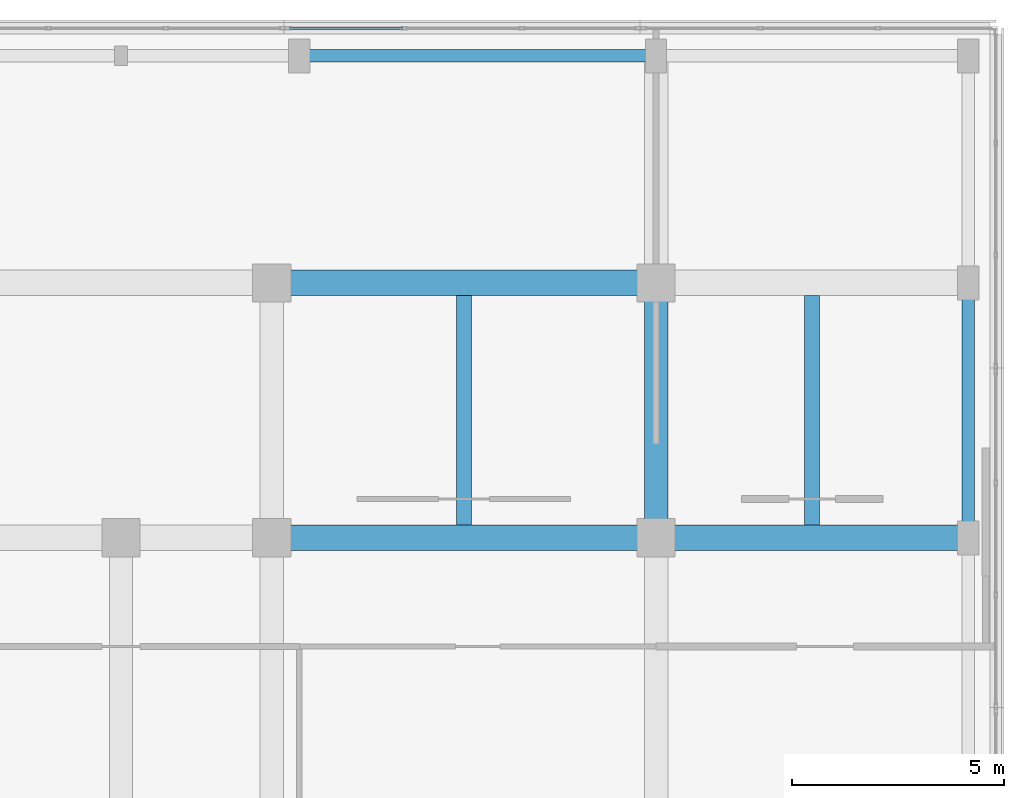
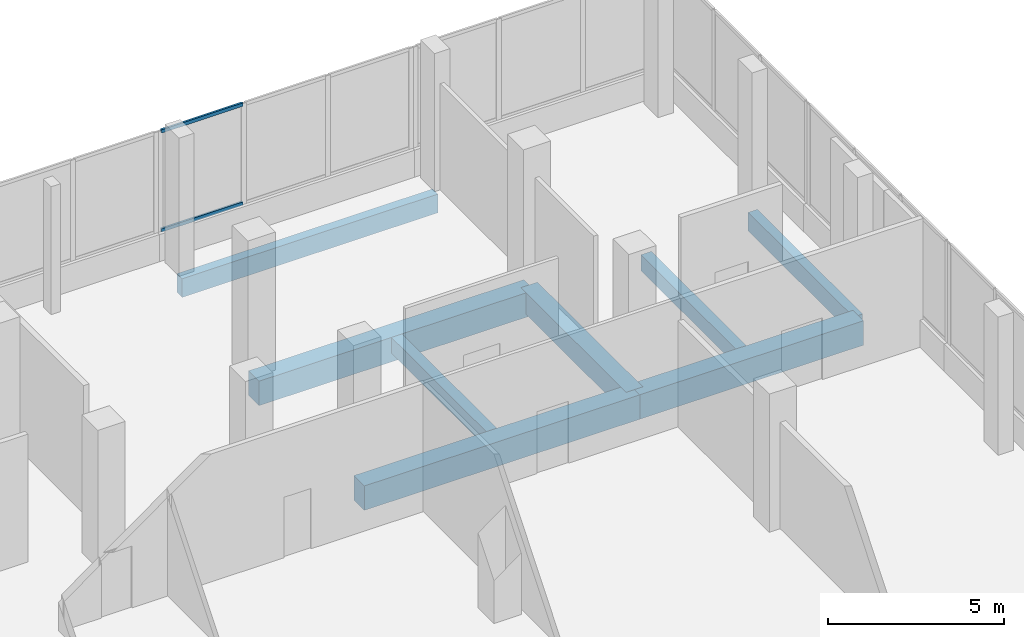
# One storey, part 120 of 168: 8 beams, 2 members, 1 element without a shape of its own.
"""IFC4 building model written with IfcOpenShell, lengths in metres."""

from ifc_helpers import new_model, si_unit, direction, frame, origin, origin_2d, place, context, subcontext, project, spatial, rectangle, hollow_rectangle, extrude, material, material_profile, profile_set, type_object, element, aggregate, save


model = new_model("IFC4")

# Units and contexts
model_context = context("Model", 3, precision=1e-05, world=origin(), true_north=direction((0.0, 1.0)))
body_context = subcontext(model_context, "Body", "Model", "MODEL_VIEW")
ifc_project = project(units=[si_unit("LENGTHUNIT", "METRE"), si_unit("AREAUNIT", "SQUARE_METRE"), si_unit("VOLUMEUNIT", "CUBIC_METRE"), si_unit("PLANEANGLEUNIT", "RADIAN"), si_unit("MASSUNIT", "GRAM", prefix="KILO")], contexts=[model_context])

# Site, building, storey
site_placement = place(None, origin())
site = spatial("IfcSite", under=ifc_project, at=site_placement, CompositionType="ELEMENT")
building_placement = place(site_placement, origin())
building = spatial("IfcBuilding", under=site, at=building_placement, Name="Selatvlak General Hospital", CompositionType="ELEMENT")
storey_placement = place(building_placement, frame((0.0, 0.0, 5.39990234375)))
storey = spatial("IfcBuildingStorey", under=building, at=storey_placement, Name="L01", CompositionType="ELEMENT", Elevation=5.39990234375)

# Beams
ifc_material_1 = material(Name="Concrete C40/50", Category="concrete")
ifc_material_profile_1 = material_profile(ifc_material_1, rectangle(XDim=0.60009765625, YDim=0.85009765625, at=origin_2d()), Name="RC-BM 600x850")
ifc_profile_set_1 = profile_set([ifc_material_profile_1], Name="Concrete C40/50")
beam_type_1 = type_object("IfcBeamType", Name="BM-G01", PredefinedType="BEAM", material=ifc_profile_set_1)
beam_1_placement = place(storey_placement, frame((164.949951171875, 108.0, -0.744873046875), z_axis=(1.0, 0.0, 0.0), x_axis=(0.0, 1.0, 0.0)))
element("IfcBeam", 1, at=beam_1_placement, inside=storey, type_object=beam_type_1, Name="Beam BMR-L01-0509", PredefinedType="BEAM", context=body_context, shape_type="SweptSolid", body=[
    extrude(rectangle(XDim=0.60009765625, YDim=0.85009765625, at=origin_2d()), origin(), (0.0, 0.0, 1.0), 9.050048828125),
])
beam_2_placement = place(storey_placement, frame((174.0, 108.0, -0.744873046875), z_axis=(1.0, 0.0, 0.0), x_axis=(0.0, 1.0, 0.0)))
element("IfcBeam", 2, at=beam_2_placement, inside=storey, type_object=beam_type_1, Name="Beam BMR-L01-0510", PredefinedType="BEAM", context=body_context, shape_type="SweptSolid", body=[
    extrude(rectangle(XDim=0.60009765625, YDim=0.85009765625, at=origin_2d()), origin(), (0.0, 0.0, 1.0), 7.35009765625),
])
beam_3_placement = place(storey_placement, frame((164.949951171875, 114.0, -0.744873046875), z_axis=(1.0, 0.0, 0.0), x_axis=(0.0, 1.0, 0.0)))
element("IfcBeam", 3, at=beam_3_placement, inside=storey, type_object=beam_type_1, Name="Beam BMR-L01-0522", PredefinedType="BEAM", context=body_context, shape_type="SweptSolid", body=[
    extrude(rectangle(XDim=0.60009765625, YDim=0.85009765625, at=origin_2d()), origin(), (0.0, 0.0, 1.0), 9.050048828125),
])
ifc_material_profile_2 = material_profile(ifc_material_1, rectangle(XDim=0.550048828125, YDim=0.75, at=origin_2d()), Name="RC-BM 550x750")
ifc_profile_set_2 = profile_set([ifc_material_profile_2], Name="Concrete C40/50")
beam_type_2 = type_object("IfcBeamType", Name="BM-G02", PredefinedType="BEAM", material=ifc_profile_set_2)
beam_4_placement = place(storey_placement, frame((174.0, 108.0, -0.69482421875), z_axis=(0.0, 1.0, 0.0), x_axis=(-1.0, 0.0, 0.0)))
element("IfcBeam", 4, at=beam_4_placement, inside=storey, type_object=beam_type_2, Name="Beam BMR-L01-0681", PredefinedType="BEAM", context=body_context, shape_type="SweptSolid", body=[
    extrude(rectangle(XDim=0.550048828125, YDim=0.75, at=origin_2d()), origin(), (0.0, 0.0, 1.0), 6.0),
])
ifc_material_profile_3 = material_profile(ifc_material_1, rectangle(XDim=0.35009765625, YDim=0.550048828125, at=origin_2d()), Name="RC-BM 350x550")
ifc_profile_set_3 = profile_set([ifc_material_profile_3], Name="Concrete C40/50")
beam_type_3 = type_object("IfcBeamType", Name="BM-J01", PredefinedType="JOIST", material=ifc_profile_set_3)
for number, where, z_axis, x_axis, name in (
    (5, (169.47509765625, 108.300048828125, -0.594970703125), (0.0, 1.0, 0.0), (-1.0, 0.0, 0.0), "Beam BMR-L01-0704"),
    (6, (177.675048828125, 108.300048828125, -0.594970703125), (0.0, 1.0, 0.0), (-1.0, 0.0, 0.0), "Beam BMR-L01-0705"),
):
    element("IfcBeam", number, at=place(storey_placement, frame(where, z_axis=z_axis, x_axis=x_axis)), inside=storey, type_object=beam_type_3, Name=name, PredefinedType="JOIST", context=body_context, shape_type="SweptSolid", body=[
        extrude(rectangle(XDim=0.35009765625, YDim=0.550048828125, at=origin_2d()), origin(), (0.0, 0.0, 1.0), 5.39990234375),
    ])
ifc_material_profile_4 = material_profile(ifc_material_1, rectangle(XDim=0.300048828125, YDim=0.64990234375, at=origin_2d()), Name="RC-SP 300x650")
ifc_profile_set_4 = profile_set([ifc_material_profile_4], Name="Concrete C40/50")
beam_type_4 = type_object("IfcBeamType", Name="BM-SP1", PredefinedType="SPANDREL", material=ifc_profile_set_4)
beam_5_placement = place(storey_placement, frame((165.60009765625, 119.35009765625, -0.64501953125), z_axis=(1.0, 0.0, 0.0), x_axis=(0.0, 1.0, 0.0)))
element("IfcBeam", 7, at=beam_5_placement, inside=storey, type_object=beam_type_4, Name="Beam BMR-L01-0538", PredefinedType="SPANDREL", context=body_context, shape_type="SweptSolid", body=[
    extrude(rectangle(XDim=0.300048828125, YDim=0.64990234375, at=origin_2d()), origin(), (0.0, 0.0, 1.0), 8.39990234375),
])
beam_6_placement = place(storey_placement, frame((181.35009765625, 108.0, -0.64501953125), z_axis=(0.0, 1.0, 0.0), x_axis=(-1.0, 0.0, 0.0)))
element("IfcBeam", 8, at=beam_6_placement, inside=storey, type_object=beam_type_4, Name="Beam BMR-L01-0691", PredefinedType="SPANDREL", context=body_context, shape_type="SweptSolid", body=[
    extrude(rectangle(XDim=0.300048828125, YDim=0.64990234375, at=origin_2d()), origin(), (0.0, 0.0, 1.0), 6.0),
])

# Curtain wall, members
ifc_material_2 = material(Name="Solar-control Low-E double glazing", Category="glass")
curtain_wall_type = type_object("IfcCurtainWallType", Name="CW-CW-01", PredefinedType="USERDEFINED", material=ifc_material_2)
curtain_wall_placement = place(storey_placement, origin())
curtain_wall = element("IfcCurtainWall", 9, at=curtain_wall_placement, inside=storey, type_object=curtain_wall_type, Name="Glazed facade curtain wall CW-L01-0130", ObjectType="UNITISED CURTAIN WALL", PredefinedType="USERDEFINED")
ifc_material_3 = material(Name="Dark anodised aluminium mullion", Category="aluminium")
ifc_material_profile_5 = material_profile(ifc_material_3, hollow_rectangle(XDim=0.06494140625, YDim=0.1201171875, WallThickness=0.00390625, at=origin_2d()), Name="AL-TRN 65x120x4")
ifc_profile_set_5 = profile_set([ifc_material_profile_5], Name="Dark anodised aluminium mullion")
member_type = type_object("IfcMemberType", Name="CWT-01", PredefinedType="USERDEFINED", material=ifc_profile_set_5)
member_1_placement = place(storey_placement, frame((165.368896484375, 120.0, 0.97265625), z_axis=(1.0, 0.0, 0.0), x_axis=(0.0, 1.0, 0.0)))
member_1 = element("IfcMember", 10, at=member_1_placement, type_object=member_type, Name="CW-01 transom 1.1", ObjectType="TRANSOM", PredefinedType="USERDEFINED", context=body_context, shape_type="SweptSolid", body=[
    extrude(hollow_rectangle(XDim=0.06494140625, YDim=0.1201171875, WallThickness=0.00390625, at=origin_2d()), origin(), (0.0, 0.0, 1.0), 2.669189453125),
])
member_2_placement = place(storey_placement, frame((165.368896484375, 120.0, 4.41259765625), z_axis=(1.0, 0.0, 0.0), x_axis=(0.0, 1.0, 0.0)))
member_2 = element("IfcMember", 11, at=member_2_placement, type_object=member_type, Name="CW-01 transom 1.2", ObjectType="TRANSOM", PredefinedType="USERDEFINED", context=body_context, shape_type="SweptSolid", body=[
    extrude(hollow_rectangle(XDim=0.06494140625, YDim=0.1201171875, WallThickness=0.00390625, at=origin_2d()), origin(), (0.0, 0.0, 1.0), 2.669189453125),
])
aggregate(curtain_wall, [member_1, member_2])

save(model, "model.ifc")
